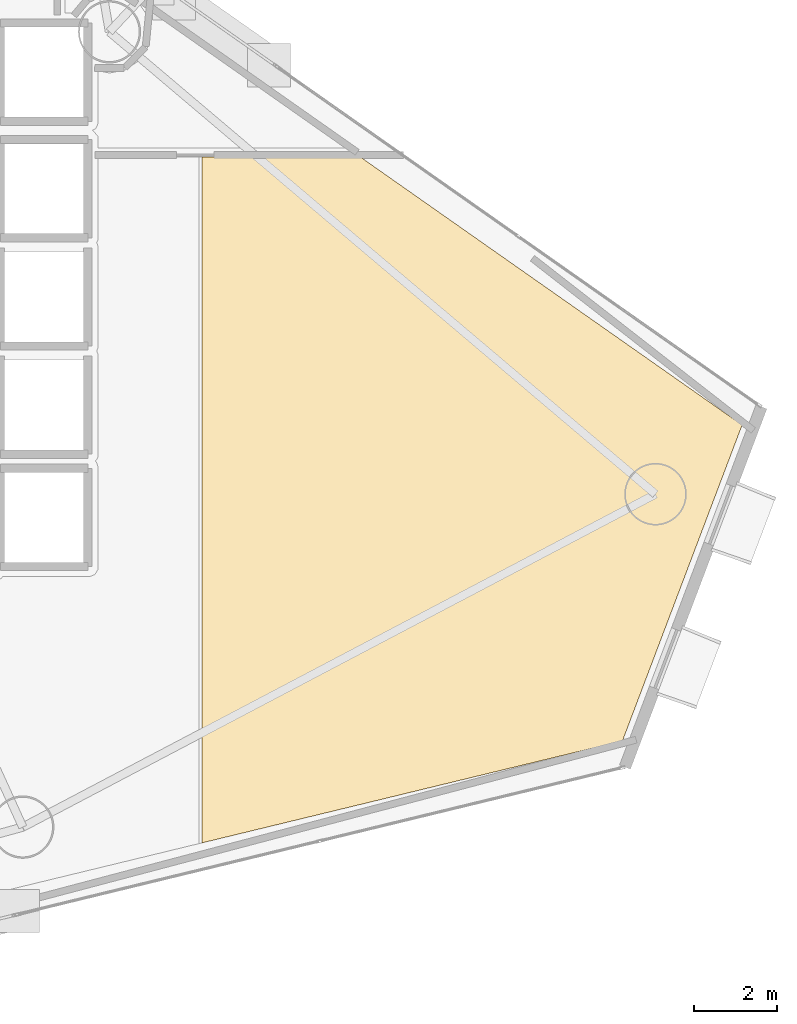
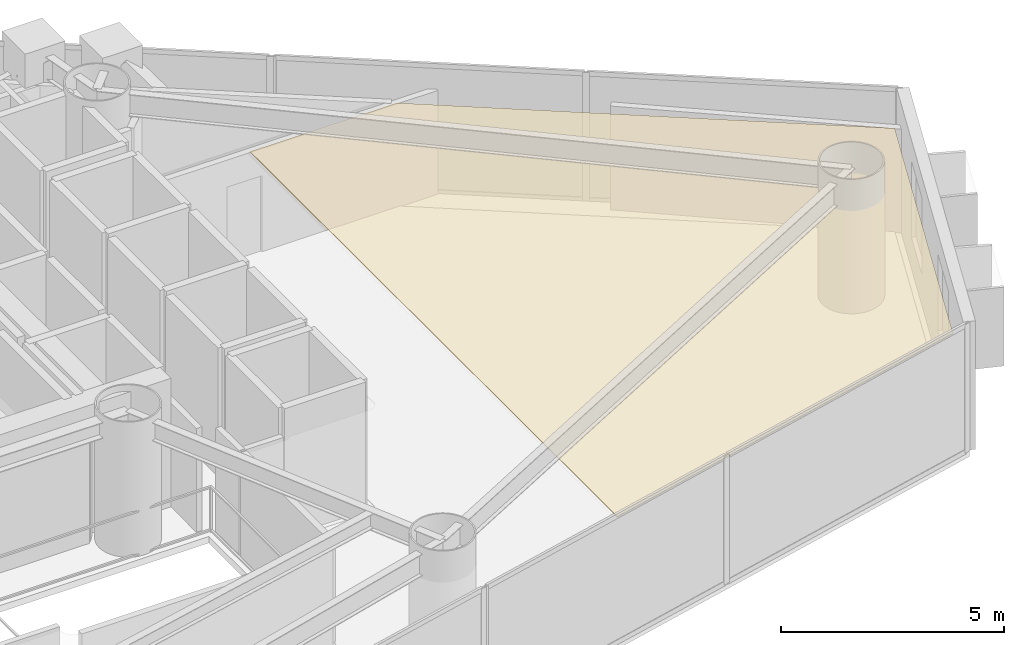
# One storey, part 24 of 24: 1 covering.
"""IFC4 building model written with IfcOpenShell, lengths in metres."""

from ifc_helpers import new_model, si_unit, direction, frame, origin, place, context, subcontext, project, spatial, polyline, outline, extrude, material, layer, layer_set, type_object, element, save


model = new_model("IFC4")

# Units and contexts
model_context = context("Model", 3, precision=1e-05, world=origin(), true_north=direction((0.0, 1.0)))
body_context = subcontext(model_context, "Body", "Model", "MODEL_VIEW")
ifc_project = project(units=[si_unit("LENGTHUNIT", "METRE"), si_unit("AREAUNIT", "SQUARE_METRE"), si_unit("VOLUMEUNIT", "CUBIC_METRE"), si_unit("PLANEANGLEUNIT", "RADIAN"), si_unit("MASSUNIT", "GRAM", prefix="KILO")], contexts=[model_context])

# Site, building, storey
site_placement = place(None, origin())
site = spatial("IfcSite", under=ifc_project, at=site_placement, CompositionType="ELEMENT")
building_placement = place(site_placement, origin())
building = spatial("IfcBuilding", under=site, at=building_placement, Name="Qianvela Tower", CompositionType="ELEMENT")
storey_placement = place(building_placement, frame((0.0, 0.0, 101.5)))
storey = spatial("IfcBuildingStorey", under=building, at=storey_placement, Name="L25", CompositionType="ELEMENT", Elevation=101.5)

# Covering
ifc_material = material(Name="Perforated Mineral Acoustic Ceiling Tile")
ifc_layer = layer(ifc_material, 0.02490234375)
ifc_layer_set = layer_set([ifc_layer], Name="Perforated Mineral Acoustic Ceiling Tile")
covering_type = type_object("IfcCoveringType", Name="COV-CEIL-ACOUSTIC-25", PredefinedType="CEILING", material=ifc_layer_set)
covering_placement = place(storey_placement, frame((0.0, 0.0, 2.81494140625)))
element("IfcCovering", 1, at=covering_placement, inside=storey, type_object=covering_type, Name="L25 Acoustic Ceiling Bay 2 Social Galley Kitchen L25-02", PredefinedType="CEILING", context=body_context, shape_type="SweptSolid", body=[
    extrude(outline(polyline([(50.105712890625, 32.05810546875), (59.275390625, 25.619873046875), (56.400390625, 18.02880859375), (46.297607421875, 15.57861328125), (46.297607421875, 32.05810546875), (50.105712890625, 32.05810546875)])), origin(), (0.0, 0.0, 1.0), 0.025146484375),
])

save(model, "model.ifc")
